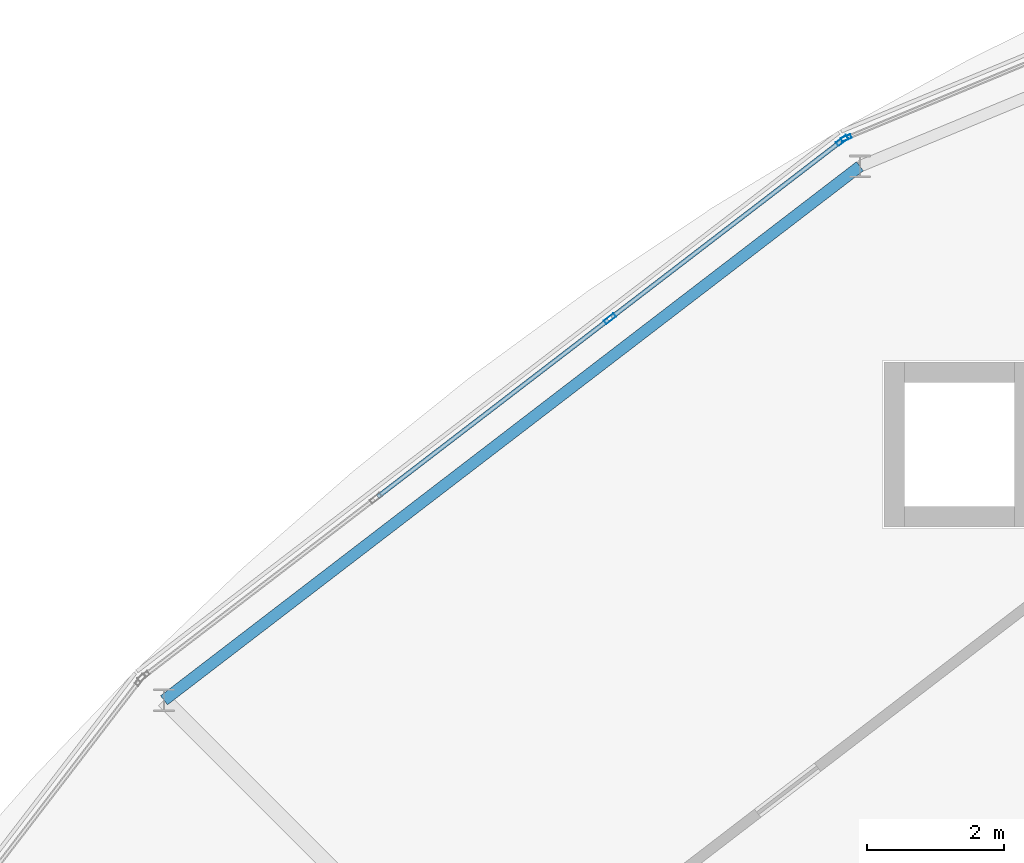
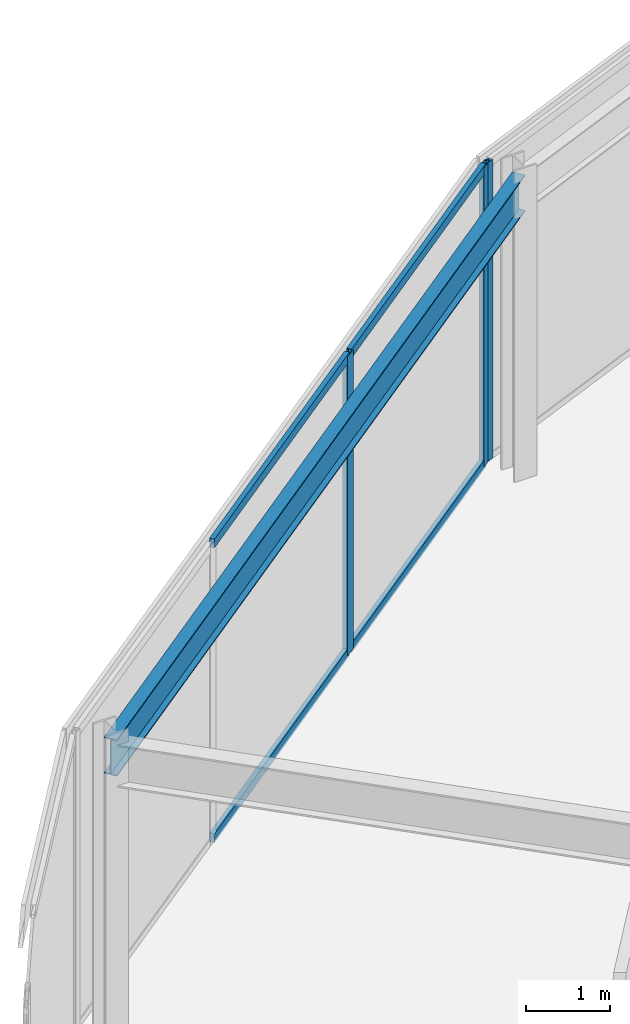
# One storey, part 57 of 133: 7 members, 1 beam, 2 elements without a shape of their own.
"""IFC4 building model written with IfcOpenShell, lengths in metres."""

from ifc_helpers import new_model, si_unit, direction, frame, origin, origin_2d, place, context, subcontext, project, spatial, hollow_rectangle, i_section, extrude, material, material_profile, profile_set, type_object, element, aggregate, save


model = new_model("IFC4")

# Units and contexts
model_context = context("Model", 3, precision=1e-05, world=origin(), true_north=direction((0.0, 1.0)))
body_context = subcontext(model_context, "Body", "Model", "MODEL_VIEW")
ifc_project = project(units=[si_unit("LENGTHUNIT", "METRE"), si_unit("AREAUNIT", "SQUARE_METRE"), si_unit("VOLUMEUNIT", "CUBIC_METRE"), si_unit("PLANEANGLEUNIT", "RADIAN"), si_unit("MASSUNIT", "GRAM", prefix="KILO")], contexts=[model_context])

# Site, building, storey
site_placement = place(None, origin())
site = spatial("IfcSite", under=ifc_project, at=site_placement, CompositionType="ELEMENT")
building_placement = place(site_placement, origin())
building = spatial("IfcBuilding", under=site, at=building_placement, Name="Almandine Court Research Institute", CompositionType="ELEMENT")
storey_placement = place(building_placement, frame((0.0, 0.0, 9.800048828125)))
storey = spatial("IfcBuildingStorey", under=building, at=storey_placement, Name="L02", CompositionType="ELEMENT", Elevation=9.800048828125)

# Beam
ifc_material_1 = material(Name="Steel ASTM A992 Grade 50", Category="steel")
ifc_material_profile_1 = material_profile(ifc_material_1, i_section(OverallWidth=0.166015625, OverallDepth=0.534912109375, WebThickness=0.010009765625, FlangeThickness=0.01708984375, at=origin_2d()), Name="W530x85")
ifc_profile_set_1 = profile_set([ifc_material_profile_1], Name="Steel ASTM A992 Grade 50")
beam_type = type_object("IfcBeamType", Name="Beam-G-05-E", PredefinedType="SPANDREL", material=ifc_profile_set_1)
beam_placement = place(storey_placement, frame((62.550048828125, 98.34912109375, 4.10205078125), z_axis=(-0.793360662587, -0.608751886289, 0.0), x_axis=(0.608751886289, -0.793360662587, 0.0)))
element("IfcBeam", 1, at=beam_placement, inside=storey, type_object=beam_type, Name="L02 Drum OUT Ring Beam 08", PredefinedType="SPANDREL", context=body_context, shape_type="SweptSolid", body=[
    extrude(i_section(OverallWidth=0.166015625, OverallDepth=0.534912109375, WebThickness=0.010009765625, FlangeThickness=0.01708984375, at=origin_2d()), origin(), (0.0, 0.0, 1.0), 12.765869140625),
])

# Curtain wall, member
ifc_material_2 = material(Name="Unitised Curtain Wall Framing and Solar Glazing", Category="glass")
curtain_wall_type_1 = type_object("IfcCurtainWallType", Name="CW-CWG-20", PredefinedType="USERDEFINED", material=ifc_material_2)
curtain_wall_1_placement = place(storey_placement, origin())
curtain_wall_1 = element("IfcCurtainWall", 2, at=curtain_wall_1_placement, inside=storey, type_object=curtain_wall_type_1, Name="L02 Stacked-Ring Drum Outer Unitised Glazing 07", ObjectType="UNITISED GLAZING", PredefinedType="USERDEFINED")
ifc_material_3 = material(Name="Anodised Aluminium AW-6063-T6", Category="aluminium")
ifc_material_profile_2 = material_profile(ifc_material_3, hollow_rectangle(XDim=0.06005859375, YDim=0.14990234375, WallThickness=0.00390625, at=origin_2d()), Name="ALU RHS 60x150x4")
ifc_profile_set_2 = profile_set([ifc_material_profile_2], Name="Anodised Aluminium AW-6063-T6")
member_type_1 = type_object("IfcMemberType", Name="CWMul-60x150", PredefinedType="MULLION", material=ifc_profile_set_2)
member_1_placement = place(storey_placement, frame((62.350830078125, 98.760498046875, 0.0), z_axis=(0.0, 0.0, 1.0), x_axis=(-0.382662689242, 0.923888124321, 0.0)))
member_1 = element("IfcMember", 3, at=member_1_placement, type_object=member_type_1, Name="CWG-20 mullion 1", PredefinedType="MULLION", context=body_context, shape_type="SweptSolid", body=[
    extrude(hollow_rectangle(XDim=0.06005859375, YDim=0.14990234375, WallThickness=0.00390625, at=origin_2d()), origin(), (0.0, 0.0, 1.0), 4.369873046875),
])
aggregate(curtain_wall_1, [member_1])

# Curtain wall, members
curtain_wall_type_2 = type_object("IfcCurtainWallType", Name="CW-CWJ-19", PredefinedType="USERDEFINED", material=ifc_material_2)
curtain_wall_2_placement = place(storey_placement, origin())
curtain_wall_2 = element("IfcCurtainWall", 4, at=curtain_wall_2_placement, inside=storey, type_object=curtain_wall_type_2, Name="L02 Stacked-Ring Drum Outer Solar Jali Screen 08", ObjectType="SOLAR JALI SCREEN", PredefinedType="USERDEFINED")
ifc_material_profile_3 = material_profile(ifc_material_3, hollow_rectangle(XDim=0.06494140625, YDim=0.179931640625, WallThickness=0.00390625, at=origin_2d()), Name="ALU RHS 65x180x4")
ifc_profile_set_3 = profile_set([ifc_material_profile_3], Name="Anodised Aluminium AW-6063-T6")
member_type_2 = type_object("IfcMemberType", Name="CWMul-65x180", PredefinedType="MULLION", material=ifc_profile_set_3)
member_2_placement = place(storey_placement, frame((58.911376953125, 96.132080078125, 0.0), z_axis=(0.0, 0.0, 1.0), x_axis=(-0.608723313303, 0.793382586046, 0.0)))
member_2 = element("IfcMember", 5, at=member_2_placement, type_object=member_type_2, Name="CWJ-19 mullion 3", PredefinedType="MULLION", context=body_context, shape_type="SweptSolid", body=[
    extrude(hollow_rectangle(XDim=0.06494140625, YDim=0.179931640625, WallThickness=0.00390625, at=origin_2d()), origin(), (0.0, 0.0, 1.0), 4.369873046875),
])
member_3_placement = place(storey_placement, frame((62.291259765625, 98.72509765625, 0.0), z_axis=(0.0, 0.0, 1.0), x_axis=(-0.608723313303, 0.793382586046, 0.0)))
member_3 = element("IfcMember", 6, at=member_3_placement, type_object=member_type_2, Name="CWJ-19 mullion 4", PredefinedType="MULLION", context=body_context, shape_type="SweptSolid", body=[
    extrude(hollow_rectangle(XDim=0.06494140625, YDim=0.179931640625, WallThickness=0.00390625, at=origin_2d()), origin(), (0.0, 0.0, 1.0), 4.369873046875),
])
ifc_material_profile_4 = material_profile(ifc_material_3, hollow_rectangle(XDim=0.06494140625, YDim=0.1298828125, WallThickness=0.00390625, at=origin_2d()), Name="ALU RHS 65x130x4")
ifc_profile_set_4 = profile_set([ifc_material_profile_4], Name="Anodised Aluminium AW-6063-T6")
member_type_3 = type_object("IfcMemberType", Name="CWTrn-65x130", PredefinedType="NOTDEFINED", material=ifc_profile_set_4)
member_4_placement = place(storey_placement, frame((55.531494140625, 93.538818359375, 0.032470703125), z_axis=(0.793368349931, 0.608741867566, 0.0), x_axis=(-0.608741867566, 0.793368349931, 0.0)))
member_4 = element("IfcMember", 7, at=member_4_placement, type_object=member_type_3, Name="CWJ-19 transom 2.1", ObjectType="TRANSOM", PredefinedType="USERDEFINED", context=body_context, shape_type="SweptSolid", body=[
    extrude(hollow_rectangle(XDim=0.06494140625, YDim=0.1298828125, WallThickness=0.00390625, at=origin_2d()), origin(), (0.0, 0.0, 1.0), 4.2275390625),
])
member_5_placement = place(storey_placement, frame((55.531494140625, 93.538818359375, 4.33740234375), z_axis=(0.793368349931, 0.608741867566, 0.0), x_axis=(-0.608741867566, 0.793368349931, 0.0)))
member_5 = element("IfcMember", 8, at=member_5_placement, type_object=member_type_3, Name="CWJ-19 transom 2.2", ObjectType="TRANSOM", PredefinedType="USERDEFINED", context=body_context, shape_type="SweptSolid", body=[
    extrude(hollow_rectangle(XDim=0.06494140625, YDim=0.1298828125, WallThickness=0.00390625, at=origin_2d()), origin(), (0.0, 0.0, 1.0), 4.2275390625),
])
member_6_placement = place(storey_placement, frame((58.93701171875, 96.15185546875, 0.032470703125), z_axis=(0.793408675449, 0.608689308041, 0.0), x_axis=(-0.608689308041, 0.793408675449, 0.0)))
member_6 = element("IfcMember", 9, at=member_6_placement, type_object=member_type_3, Name="CWJ-19 transom 3.1", ObjectType="TRANSOM", PredefinedType="USERDEFINED", context=body_context, shape_type="SweptSolid", body=[
    extrude(hollow_rectangle(XDim=0.06494140625, YDim=0.1298828125, WallThickness=0.00390625, at=origin_2d()), origin(), (0.0, 0.0, 1.0), 4.195068359375),
])
member_7_placement = place(storey_placement, frame((58.93701171875, 96.15185546875, 4.33740234375), z_axis=(0.793408675449, 0.608689308041, 0.0), x_axis=(-0.608689308041, 0.793408675449, 0.0)))
member_7 = element("IfcMember", 10, at=member_7_placement, type_object=member_type_3, Name="CWJ-19 transom 3.2", ObjectType="TRANSOM", PredefinedType="USERDEFINED", context=body_context, shape_type="SweptSolid", body=[
    extrude(hollow_rectangle(XDim=0.06494140625, YDim=0.1298828125, WallThickness=0.00390625, at=origin_2d()), origin(), (0.0, 0.0, 1.0), 4.195068359375),
])
aggregate(curtain_wall_2, [member_2, member_3, member_4, member_5, member_6, member_7])

save(model, "model.ifc")
